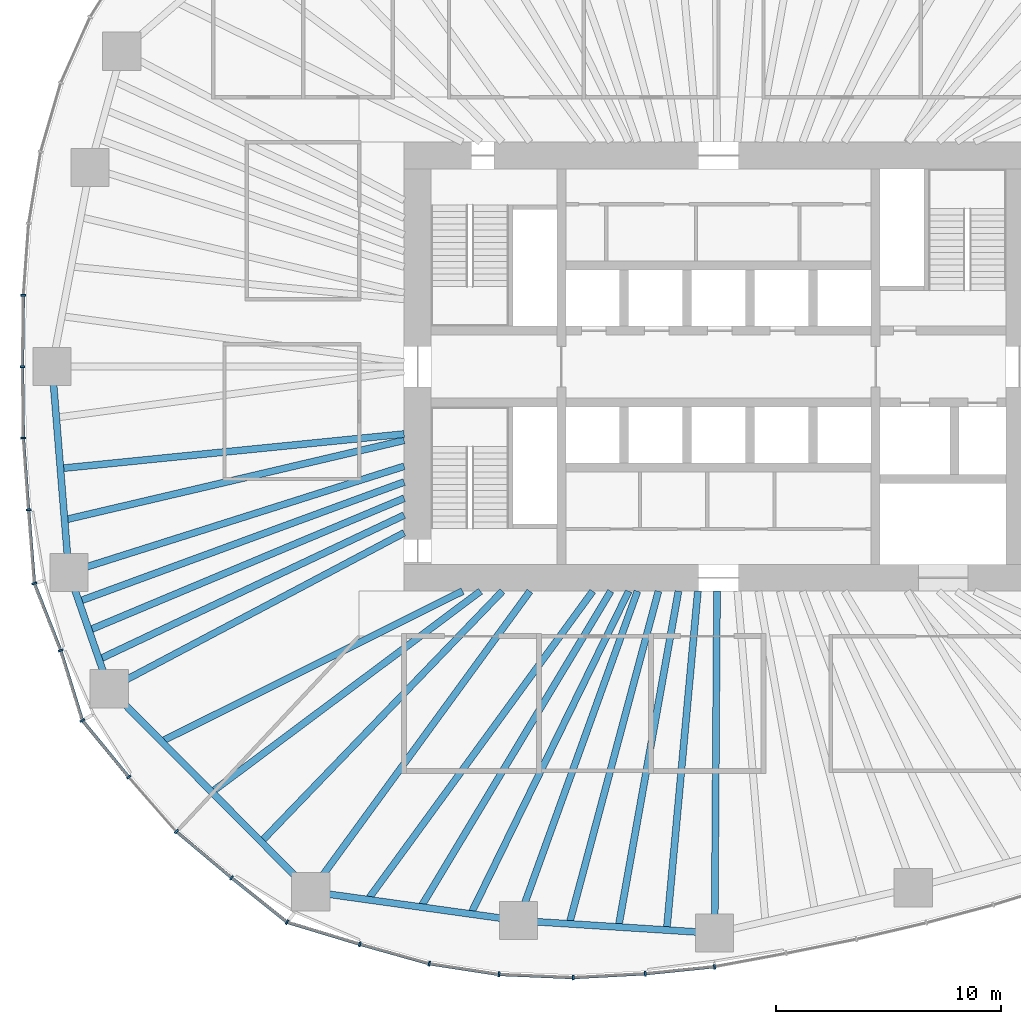
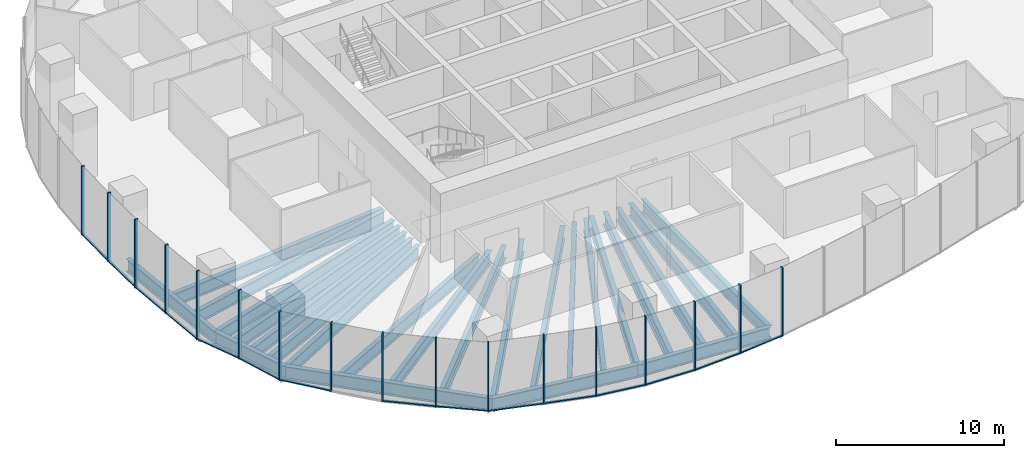
# One storey, part 2 of 19: 32 members, 24 beams, 7 elements without a shape of their own.
"""IFC4 building model written with IfcOpenShell, lengths in metres."""

import ifcopenshell
import ifcopenshell.guid

model = None  # the IFC model being written
_history = None  # IfcOwnerHistory: only IFC2X3 demands one
_inside = {}  # id of a spatial element -> (the spatial element, [elements in it])
_under = {}  # id of a project, library or spatial element -> (it, [spatial elements below it])
_declared = {}  # id of a project -> (the project, [libraries it declares])
_typed = {}  # id of a type object -> (the type object, [elements of that type])
_made_of = {}  # id of a material, layer set ... -> (it, [elements and type objects made of it])


def new_model(schema):
    """Start an empty IFC model of exactly this schema.

    Asked for "IFC4X3", IfcOpenShell would pick the latest addendum, in which some entities
    have other attributes; the version numbers below select the first issue.
    IFC2X3 requires an IfcOwnerHistory on every rooted entity: one is made here for all.
    """
    global model, _history
    if schema == "IFC4X3":
        model = ifcopenshell.file(schema_version=(4, 3, 0, 0))
    else:
        model = ifcopenshell.file(schema=schema)
    _inside.clear()
    _under.clear()
    _declared.clear()
    _typed.clear()
    _made_of.clear()
    _history = None
    if model.schema == "IFC2X3":
        org = make("IfcOrganization", Name="unknown")
        user = make(
            "IfcPersonAndOrganization",
            ThePerson=make("IfcPerson", FamilyName="unknown"),
            TheOrganization=org,
        )
        app = make(
            "IfcApplication",
            ApplicationDeveloper=org,
            Version="unknown",
            ApplicationFullName="unknown",
            ApplicationIdentifier="unknown",
        )
        _history = make(
            "IfcOwnerHistory",
            OwningUser=user,
            OwningApplication=app,
            ChangeAction="ADDED",
            CreationDate=0,
        )
    return model


def make(cls, **values):
    """One entity of the class cls with the attributes given. An attribute that is None is left unset."""
    return model.create_entity(
        cls, **{name: value for name, value in values.items() if value is not None}
    )


def rooted(cls, **values):
    """An entity with a GlobalId (a new one), such as an element, a storey or a relation."""
    return make(cls, GlobalId=ifcopenshell.guid.new(), OwnerHistory=_history, **values)


def si_unit(unit_type, name, prefix=None):
    """IfcSIUnit, for example si_unit("LENGTHUNIT", "METRE", prefix="MILLI")."""
    return make("IfcSIUnit", UnitType=unit_type, Prefix=prefix, Name=name)


def assignment(units):
    """IfcUnitAssignment: the units of a project."""
    return None if units is None else make("IfcUnitAssignment", Units=units)


def point(xyz):
    """IfcCartesianPoint."""
    return None if xyz is None else make("IfcCartesianPoint", Coordinates=xyz)


def direction(xyz):
    """IfcDirection."""
    return None if xyz is None else make("IfcDirection", DirectionRatios=xyz)


def frame(location, z_axis=None, x_axis=None):
    """IfcAxis2Placement3D, a coordinate frame: its origin and axes. An axis left out is left unset."""
    return make(
        "IfcAxis2Placement3D",
        Location=point(location),
        Axis=direction(z_axis),
        RefDirection=direction(x_axis),
    )


def frame_2d(location, x_axis=None):
    """IfcAxis2Placement2D, a coordinate frame in the plane: its origin and x axis."""
    return make(
        "IfcAxis2Placement2D", Location=point(location), RefDirection=direction(x_axis)
    )


def origin():
    """The frame at (0, 0, 0) with its axes left unset."""
    return frame((0.0, 0.0, 0.0))


def origin_2d():
    """The frame at (0, 0) in the plane with its x axis left unset."""
    return frame_2d((0.0, 0.0))


def place(relative_to, where):
    """IfcLocalPlacement: puts the frame where relative to a parent placement (None: the world)."""
    return make(
        "IfcLocalPlacement", PlacementRelTo=relative_to, RelativePlacement=where
    )


def context(
    kind, dimensions, precision=None, world=None, true_north=None, identifier=None
):
    """IfcGeometricRepresentationContext, for example the 3D "Model" context."""
    return make(
        "IfcGeometricRepresentationContext",
        ContextIdentifier=identifier,
        ContextType=kind,
        CoordinateSpaceDimension=dimensions,
        Precision=precision,
        WorldCoordinateSystem=world,
        TrueNorth=true_north,
    )


def subcontext(parent, identifier, kind, view, scale=None):
    """IfcGeometricRepresentationSubContext, for example "Body" below "Model"."""
    return make(
        "IfcGeometricRepresentationSubContext",
        ContextIdentifier=identifier,
        ContextType=kind,
        ParentContext=parent,
        TargetScale=scale,
        TargetView=view,
    )


def project(units=None, contexts=None):
    """IfcProject with its units and contexts."""
    return rooted(
        "IfcProject",
        Name="project",
        RepresentationContexts=contexts,
        UnitsInContext=assignment(units),
    )


def spatial(cls, under=None, at=None, **own):
    """A site, building, storey or space (cls), placed at a placement, below another one or the project."""
    s = rooted(cls, ObjectPlacement=at, **own)
    if under is not None:
        _under.setdefault(under.id(), (under, []))[1].append(s)
    return s


def profile(cls, at=None, kind="AREA", **sizes):
    """A parametric profile (cls). Its sizes go by their IFC names, for example OverallWidth=200.0."""
    return make(cls, ProfileType=kind, Position=at, **sizes)


def rectangle(**sizes):
    """IfcRectangleProfileDef."""
    return profile("IfcRectangleProfileDef", **sizes)


def i_section(**sizes):
    """IfcIShapeProfileDef."""
    return profile("IfcIShapeProfileDef", **sizes)


def extrude(swept, where, along, depth):
    """IfcExtrudedAreaSolid: the profile swept, set in the frame where, extruded along a direction by depth."""
    return make(
        "IfcExtrudedAreaSolid",
        SweptArea=swept,
        Position=where,
        ExtrudedDirection=direction(along),
        Depth=depth,
    )


def shape(context_of_items, identifier, shape_type, items):
    """IfcShapeRepresentation: the items that make up one representation, for example the "Body"."""
    return make(
        "IfcShapeRepresentation",
        ContextOfItems=context_of_items,
        RepresentationIdentifier=identifier,
        RepresentationType=shape_type,
        Items=items,
    )


def material(Name=None, Category=None):
    """IfcMaterial."""
    return make("IfcMaterial", Name=Name, Category=Category)


def material_profile(
    of_material, cross_section, Name=None, Category=None, Priority=None
):
    """IfcMaterialProfile: a cross section and its material."""
    return make(
        "IfcMaterialProfile",
        Name=Name,
        Material=of_material,
        Profile=cross_section,
        Priority=Priority,
        Category=Category,
    )


def profile_set(profiles, Name=None, composite=None):
    """IfcMaterialProfileSet."""
    return make(
        "IfcMaterialProfileSet",
        Name=Name,
        MaterialProfiles=profiles,
        CompositeProfile=composite,
    )


def made_of(thing, what):
    """Note that an element or type object is made of a material, layer set ...; save() writes the relation."""
    if what is not None:
        _made_of.setdefault(what.id(), (what, []))[1].append(thing)
    return thing


def type_object(cls, material=None, **own):
    """A type object (cls), such as IfcWallType, which elements share."""
    return made_of(rooted(cls, **own), material)


def element(
    cls,
    number,
    at=None,
    inside=None,
    cuts=None,
    type_object=None,
    material=None,
    context=None,
    identifier="Body",
    shape_type=None,
    held_by="IfcProductDefinitionShape",
    body=None,
    shapes=None,
    **own,
):
    """One element of the class cls, such as IfcWall. Its Tag is "e" and its number.

    at: its placement. inside: the storey or other place that contains it. cuts: it is an
    opening in that element (IfcRelVoidsElement). A single representation is given by context,
    identifier, shape_type and body (its items); several are given by shapes. held_by: the class
    of the entity that holds the representations. save() writes the other relations.
    """
    e = rooted(cls, Tag="e%d" % number, ObjectPlacement=at, **own)
    if body is not None:
        shapes = [shape(context, identifier, shape_type, body)]
    if shapes is not None:
        e.Representation = make(held_by, Representations=shapes)
    if inside is not None:
        _inside.setdefault(inside.id(), (inside, []))[1].append(e)
    if cuts is not None:
        rooted(
            "IfcRelVoidsElement", RelatingBuildingElement=cuts, RelatedOpeningElement=e
        )
    if type_object is not None:
        _typed.setdefault(type_object.id(), (type_object, []))[1].append(e)
    return made_of(e, material)


def aggregate(whole, parts):
    """IfcRelAggregates: a whole, such as a stair, and the parts it consists of."""
    return rooted("IfcRelAggregates", RelatingObject=whole, RelatedObjects=parts)


def save(model, path):
    """Write the relations noted so far, then the file.

    IfcRelAggregates (storeys below a building ...), IfcRelContainedInSpatialStructure (elements
    in a storey), IfcRelDefinesByType, IfcRelAssociatesMaterial and IfcRelDeclares: one each for
    every whole, place, type object, material and project.
    """
    for whole, parts in _under.values():
        aggregate(whole, parts)
    for where, things in _inside.values():
        rooted(
            "IfcRelContainedInSpatialStructure",
            RelatedElements=things,
            RelatingStructure=where,
        )
    for kind, things in _typed.values():
        rooted("IfcRelDefinesByType", RelatedObjects=things, RelatingType=kind)
    for what, things in _made_of.values():
        rooted("IfcRelAssociatesMaterial", RelatedObjects=things, RelatingMaterial=what)
    for by, libraries in _declared.values():
        rooted("IfcRelDeclares", RelatingContext=by, RelatedDefinitions=libraries)
    model.write(path)


model = new_model("IFC4")

# Units and contexts
model_context = context("Model", 3, precision=1e-05, world=origin(), true_north=direction((0.0, 1.0)))
body_context = subcontext(model_context, "Body", "Model", "MODEL_VIEW")
ifc_project = project(units=[si_unit("LENGTHUNIT", "METRE"), si_unit("AREAUNIT", "SQUARE_METRE"), si_unit("VOLUMEUNIT", "CUBIC_METRE"), si_unit("PLANEANGLEUNIT", "RADIAN"), si_unit("MASSUNIT", "GRAM", prefix="KILO")], contexts=[model_context])

# Site, building, storey
site_placement = place(None, origin())
site = spatial("IfcSite", under=ifc_project, at=site_placement, CompositionType="ELEMENT")
building_placement = place(site_placement, origin())
building = spatial("IfcBuilding", under=site, at=building_placement, Name="Ghaith Harvest Tower", CompositionType="ELEMENT")
storey_placement = place(building_placement, frame((0.0, 0.0, 70.0)))
storey = spatial("IfcBuildingStorey", under=building, at=storey_placement, Name="L14", CompositionType="ELEMENT", Elevation=70.0)

# Curtain wall, member
ifc_material_1 = material(Name="Black anodised aluminium and fritted glass", Category="aluminium")
curtain_wall_type = type_object("IfcCurtainWallType", Name="CW-F CURTAIN WALL", PredefinedType="NOTDEFINED", material=ifc_material_1)
curtain_wall_1_placement = place(storey_placement, origin())
curtain_wall_1 = element("IfcCurtainWall", 1, at=curtain_wall_1_placement, inside=storey, type_object=curtain_wall_type, Name="Curtain wall CW-F bay 10 L14", PredefinedType="NOTDEFINED")
ifc_material_2 = material(Name="Aluminium, black anodised", Category="aluminium")
ifc_material_profile_1 = material_profile(ifc_material_2, rectangle(XDim=0.080078125, YDim=0.219970703125, at=origin_2d()), Name="CW-F MULLION 80x220")
ifc_profile_set_1 = profile_set([ifc_material_profile_1], Name="Aluminium, black anodised")
member_type_1 = type_object("IfcMemberType", Name="CW-F MULLION 80x220", PredefinedType="MULLION", material=ifc_profile_set_1)
member_1_placement = place(storey_placement, frame((-30.95654296875, 3.177978515625, 0.0), z_axis=(0.0, 0.0, 1.0), x_axis=(-0.042427007767, -0.999099569118, 0.0)))
member_1 = element("IfcMember", 2, at=member_1_placement, type_object=member_type_1, Name="CW-F mullion 3 bay 10 L14", PredefinedType="MULLION", context=body_context, shape_type="SweptSolid", body=[
    extrude(rectangle(XDim=0.080078125, YDim=0.219970703125, at=origin_2d()), origin(), (0.0, 0.0, 1.0), 5.0),
])

# Curtain wall, members
curtain_wall_2_placement = place(storey_placement, origin())
curtain_wall_2 = element("IfcCurtainWall", 3, at=curtain_wall_2_placement, inside=storey, type_object=curtain_wall_type, Name="Curtain wall CW-F bay 11 L14", PredefinedType="NOTDEFINED")
member_2_placement = place(storey_placement, frame((-30.9951171875, 0.0, 0.0), z_axis=(0.0, 0.0, 1.0), x_axis=(1.4e-10, -1.0, 0.0)))
member_2 = element("IfcMember", 4, at=member_2_placement, type_object=member_type_1, Name="CW-F mullion 1 bay 11 L14", PredefinedType="MULLION", context=body_context, shape_type="SweptSolid", body=[
    extrude(rectangle(XDim=0.080078125, YDim=0.219970703125, at=origin_2d()), origin(), (0.0, 0.0, 1.0), 5.0),
])
member_3_placement = place(storey_placement, frame((-30.95654296875, -3.177978515625, 0.0), z_axis=(0.0, 0.0, 1.0), x_axis=(0.042427007872, -0.999099569114, 0.0)))
member_3 = element("IfcMember", 5, at=member_3_placement, type_object=member_type_1, Name="CW-F mullion 2 bay 11 L14", PredefinedType="MULLION", context=body_context, shape_type="SweptSolid", body=[
    extrude(rectangle(XDim=0.080078125, YDim=0.219970703125, at=origin_2d()), origin(), (0.0, 0.0, 1.0), 5.0),
])
member_4_placement = place(storey_placement, frame((-30.724365234375, -6.37548828125, 0.0), z_axis=(0.0, 0.0, 1.0), x_axis=(0.07568573288, -0.997131721408, 0.0)))
member_4 = element("IfcMember", 6, at=member_4_placement, type_object=member_type_1, Name="CW-F mullion 3 bay 11 L14", PredefinedType="MULLION", context=body_context, shape_type="SweptSolid", body=[
    extrude(rectangle(XDim=0.080078125, YDim=0.219970703125, at=origin_2d()), origin(), (0.0, 0.0, 1.0), 5.0),
])

curtain_wall_3_placement = place(storey_placement, origin())
curtain_wall_3 = element("IfcCurtainWall", 7, at=curtain_wall_3_placement, inside=storey, type_object=curtain_wall_type, Name="Curtain wall CW-F bay 12 L14", PredefinedType="NOTDEFINED")
member_5_placement = place(storey_placement, frame((-30.46484375, -9.65478515625, 0.0), z_axis=(0.0, 0.0, 1.0), x_axis=(0.222967363441, -0.974825910017, 0.0)))
member_5 = element("IfcMember", 8, at=member_5_placement, type_object=member_type_1, Name="CW-F mullion 1 bay 12 L14", PredefinedType="MULLION", context=body_context, shape_type="SweptSolid", body=[
    extrude(rectangle(XDim=0.080078125, YDim=0.219970703125, at=origin_2d()), origin(), (0.0, 0.0, 1.0), 5.0),
])
member_6_placement = place(storey_placement, frame((-29.29248046875, -12.63525390625, 0.0), z_axis=(0.0, 0.0, 1.0), x_axis=(0.330700518925, -0.943735750506, 0.0)))
member_6 = element("IfcMember", 9, at=member_6_placement, type_object=member_type_1, Name="CW-F mullion 2 bay 12 L14", PredefinedType="MULLION", context=body_context, shape_type="SweptSolid", body=[
    extrude(rectangle(XDim=0.080078125, YDim=0.219970703125, at=origin_2d()), origin(), (0.0, 0.0, 1.0), 5.0),
])
member_7_placement = place(storey_placement, frame((-28.3271484375, -15.7548828125, 0.0), z_axis=(0.0, 0.0, 1.0), x_axis=(0.473265082527, -0.880920065421, 0.0)))
member_7 = element("IfcMember", 10, at=member_7_placement, type_object=member_type_1, Name="CW-F mullion 3 bay 12 L14", PredefinedType="MULLION", context=body_context, shape_type="SweptSolid", body=[
    extrude(rectangle(XDim=0.080078125, YDim=0.219970703125, at=origin_2d()), origin(), (0.0, 0.0, 1.0), 5.0),
])

curtain_wall_4_placement = place(storey_placement, origin())
curtain_wall_4 = element("IfcCurtainWall", 11, at=curtain_wall_4_placement, inside=storey, type_object=curtain_wall_type, Name="Curtain wall CW-F bay 13 L14", PredefinedType="NOTDEFINED")
member_8_placement = place(storey_placement, frame((-26.26318359375, -18.274169921875, 0.0), z_axis=(0.0, 0.0, 1.0), x_axis=(0.646523538748, -0.762894038412, 0.0)))
member_8 = element("IfcMember", 12, at=member_8_placement, type_object=member_type_1, Name="CW-F mullion 1 bay 13 L14", PredefinedType="MULLION", context=body_context, shape_type="SweptSolid", body=[
    extrude(rectangle(XDim=0.080078125, YDim=0.219970703125, at=origin_2d()), origin(), (0.0, 0.0, 1.0), 5.0),
])
member_9_placement = place(storey_placement, frame((-24.139404296875, -20.696533203125, 0.0), z_axis=(0.0, 0.0, 1.0), x_axis=(0.714663248554, -0.699468684907, 0.0)))
member_9 = element("IfcMember", 13, at=member_9_placement, type_object=member_type_1, Name="CW-F mullion 2 bay 13 L14", PredefinedType="MULLION", context=body_context, shape_type="SweptSolid", body=[
    extrude(rectangle(XDim=0.080078125, YDim=0.219970703125, at=origin_2d()), origin(), (0.0, 0.0, 1.0), 5.0),
])
member_10_placement = place(storey_placement, frame((-21.681640625, -22.758056640625, 0.0), z_axis=(0.0, 0.0, 1.0), x_axis=(0.773138721505, -0.634236956751, 0.0)))
member_10 = element("IfcMember", 14, at=member_10_placement, type_object=member_type_1, Name="CW-F mullion 3 bay 13 L14", PredefinedType="MULLION", context=body_context, shape_type="SweptSolid", body=[
    extrude(rectangle(XDim=0.080078125, YDim=0.219970703125, at=origin_2d()), origin(), (0.0, 0.0, 1.0), 5.0),
])

curtain_wall_5_placement = place(storey_placement, origin())
curtain_wall_5 = element("IfcCurtainWall", 15, at=curtain_wall_5_placement, inside=storey, type_object=curtain_wall_type, Name="Curtain wall CW-F bay 14 L14", PredefinedType="NOTDEFINED")
member_11_placement = place(storey_placement, frame((-19.212646484375, -24.73828125, 0.0), z_axis=(0.0, 0.0, 1.0), x_axis=(0.887912253774, -0.460012858079, 0.0)))
member_11 = element("IfcMember", 16, at=member_11_placement, type_object=member_type_1, Name="CW-F mullion 1 bay 14 L14", PredefinedType="MULLION", context=body_context, shape_type="SweptSolid", body=[
    extrude(rectangle(XDim=0.080078125, YDim=0.219970703125, at=origin_2d()), origin(), (0.0, 0.0, 1.0), 5.0),
])
member_12_placement = place(storey_placement, frame((-15.97119140625, -25.716552734375, 0.0), z_axis=(0.0, 0.0, 1.0), x_axis=(0.960008876539, -0.279969564356, 0.0)))
member_12 = element("IfcMember", 17, at=member_12_placement, type_object=member_type_1, Name="CW-F mullion 2 bay 14 L14", PredefinedType="MULLION", context=body_context, shape_type="SweptSolid", body=[
    extrude(rectangle(XDim=0.080078125, YDim=0.219970703125, at=origin_2d()), origin(), (0.0, 0.0, 1.0), 5.0),
])
member_13_placement = place(storey_placement, frame((-12.880615234375, -26.5849609375, 0.0), z_axis=(0.0, 0.0, 1.0), x_axis=(0.977207016024, -0.212288595628, 0.0)))
member_13 = element("IfcMember", 18, at=member_13_placement, type_object=member_type_1, Name="CW-F mullion 3 bay 14 L14", PredefinedType="MULLION", context=body_context, shape_type="SweptSolid", body=[
    extrude(rectangle(XDim=0.080078125, YDim=0.219970703125, at=origin_2d()), origin(), (0.0, 0.0, 1.0), 5.0),
])

curtain_wall_6_placement = place(storey_placement, origin())
curtain_wall_6 = element("IfcCurtainWall", 19, at=curtain_wall_6_placement, inside=storey, type_object=curtain_wall_type, Name="Curtain wall CW-F bay 15 L14", PredefinedType="NOTDEFINED")
member_14_placement = place(storey_placement, frame((-9.7744140625, -27.062744140625, 0.0), z_axis=(0.0, 0.0, 1.0), x_axis=(0.995408459417, -0.095718331168, 0.0)))
member_14 = element("IfcMember", 20, at=member_14_placement, type_object=member_type_1, Name="CW-F mullion 1 bay 15 L14", PredefinedType="MULLION", context=body_context, shape_type="SweptSolid", body=[
    extrude(rectangle(XDim=0.080078125, YDim=0.219970703125, at=origin_2d()), origin(), (0.0, 0.0, 1.0), 5.0),
])
member_15_placement = place(storey_placement, frame((-6.465087890625, -27.20166015625, 0.0), z_axis=(0.0, 0.0, 1.0), x_axis=(0.999987206373, 0.005058368251, 0.0)))
member_15 = element("IfcMember", 21, at=member_15_placement, type_object=member_type_1, Name="CW-F mullion 2 bay 15 L14", PredefinedType="MULLION", context=body_context, shape_type="SweptSolid", body=[
    extrude(rectangle(XDim=0.080078125, YDim=0.219970703125, at=origin_2d()), origin(), (0.0, 0.0, 1.0), 5.0),
])
member_16_placement = place(storey_placement, frame((-3.261962890625, -27.02978515625, 0.0), z_axis=(0.0, 0.0, 1.0), x_axis=(0.997037536276, 0.07691652135, 0.0)))
member_16 = element("IfcMember", 22, at=member_16_placement, type_object=member_type_1, Name="CW-F mullion 3 bay 15 L14", PredefinedType="MULLION", context=body_context, shape_type="SweptSolid", body=[
    extrude(rectangle(XDim=0.080078125, YDim=0.219970703125, at=origin_2d()), origin(), (0.0, 0.0, 1.0), 5.0),
])

# Curtain wall, member
curtain_wall_7_placement = place(storey_placement, origin())
curtain_wall_7 = element("IfcCurtainWall", 23, at=curtain_wall_7_placement, inside=storey, type_object=curtain_wall_type, Name="Curtain wall CW-F bay 16 L14", PredefinedType="NOTDEFINED")
member_17_placement = place(storey_placement, frame((-0.182861328125, -26.717041015625, 0.0), z_axis=(0.0, 0.0, 1.0), x_axis=(0.98971187144, 0.143074845907, 0.0)))
member_17 = element("IfcMember", 24, at=member_17_placement, type_object=member_type_1, Name="CW-F mullion 1 bay 16 L14", PredefinedType="MULLION", context=body_context, shape_type="SweptSolid", body=[
    extrude(rectangle(XDim=0.080078125, YDim=0.219970703125, at=origin_2d()), origin(), (0.0, 0.0, 1.0), 5.0),
])
aggregate(curtain_wall_7, [member_17])

# Member
ifc_material_3 = material(Name="Aluminium, black anodised", Category="aluminium")
ifc_material_profile_2 = material_profile(ifc_material_3, rectangle(XDim=0.139892578125, YDim=0.080078125, at=origin_2d()), Name="CW-F TRANSOM 140x80")
ifc_profile_set_2 = profile_set([ifc_material_profile_2], Name="Aluminium, black anodised")
member_type_2 = type_object("IfcMemberType", Name="CW-F TRANSOM 140x80", PredefinedType="USERDEFINED", material=ifc_profile_set_2)
member_18_placement = place(storey_placement, frame((-30.95703125, 3.137939453125, 0.0400390625), z_axis=(-0.012135602457, -0.999926360865, 0.0), x_axis=(0.999926360865, -0.012135602457, 0.0)))
member_18 = element("IfcMember", 25, at=member_18_placement, type_object=member_type_2, Name="CW-F transom 3 bay 10 L14", ObjectType="TRANSOM", PredefinedType="USERDEFINED", context=body_context, shape_type="SweptSolid", body=[
    extrude(rectangle(XDim=0.139892578125, YDim=0.080078125, at=origin_2d()), origin(), (0.0, 0.0, 1.0), 3.09814453125),
])

aggregate(curtain_wall_1, [member_1, member_18])

member_19_placement = place(storey_placement, frame((-30.99462890625, -0.0400390625, 0.0400390625), z_axis=(0.012135602457, -0.999926360865, 0.0), x_axis=(0.999926360865, 0.012135602457, 0.0)))
member_19 = element("IfcMember", 26, at=member_19_placement, type_object=member_type_2, Name="CW-F transom 1 bay 11 L14", ObjectType="TRANSOM", PredefinedType="USERDEFINED", context=body_context, shape_type="SweptSolid", body=[
    extrude(rectangle(XDim=0.139892578125, YDim=0.080078125, at=origin_2d()), origin(), (0.0, 0.0, 1.0), 3.09814453125),
])

member_20_placement = place(storey_placement, frame((-30.95361328125, -3.2177734375, 0.0400390625), z_axis=(0.072473547161, -0.997370334912, 0.0), x_axis=(0.997370334912, 0.072473547161, 0.0)))
member_20 = element("IfcMember", 27, at=member_20_placement, type_object=member_type_2, Name="CW-F transom 2 bay 11 L14", ObjectType="TRANSOM", PredefinedType="USERDEFINED", context=body_context, shape_type="SweptSolid", body=[
    extrude(rectangle(XDim=0.139892578125, YDim=0.080078125, at=origin_2d()), origin(), (0.0, 0.0, 1.0), 3.126220703125),
])

member_21_placement = place(storey_placement, frame((-30.72119140625, -6.415283203125, 0.0400390625), z_axis=(0.078877539502, -0.996884313129, 0.0), x_axis=(0.996884313129, 0.078877539502, 0.0)))
member_21 = element("IfcMember", 28, at=member_21_placement, type_object=member_type_2, Name="CW-F transom 3 bay 11 L14", ObjectType="TRANSOM", PredefinedType="USERDEFINED", context=body_context, shape_type="SweptSolid", body=[
    extrude(rectangle(XDim=0.139892578125, YDim=0.080078125, at=origin_2d()), origin(), (0.0, 0.0, 1.0), 3.209716796875),
])

aggregate(curtain_wall_2, [member_2, member_19, member_3, member_20, member_4, member_21])

member_22_placement = place(storey_placement, frame((-30.4501953125, -9.692138671875, 0.0400390625), z_axis=(0.366046617161, -0.93059651518, 0.0), x_axis=(0.93059651518, 0.366046617161, 0.0)))
member_22 = element("IfcMember", 29, at=member_22_placement, type_object=member_type_2, Name="CW-F transom 1 bay 12 L14", ObjectType="TRANSOM", PredefinedType="USERDEFINED", context=body_context, shape_type="SweptSolid", body=[
    extrude(rectangle(XDim=0.139892578125, YDim=0.080078125, at=origin_2d()), origin(), (0.0, 0.0, 1.0), 3.122802734375),
])

member_23_placement = place(storey_placement, frame((-29.28076171875, -12.673583984375, 0.0400390625), z_axis=(0.295598800908, -0.955312173534, 0.0), x_axis=(0.955312173534, 0.295598800908, 0.0)))
member_23 = element("IfcMember", 30, at=member_23_placement, type_object=member_type_2, Name="CW-F transom 2 bay 12 L14", ObjectType="TRANSOM", PredefinedType="USERDEFINED", context=body_context, shape_type="SweptSolid", body=[
    extrude(rectangle(XDim=0.139892578125, YDim=0.080078125, at=origin_2d()), origin(), (0.0, 0.0, 1.0), 3.185546875),
])

member_24_placement = place(storey_placement, frame((-28.302001953125, -15.785888671875, 0.0400390625), z_axis=(0.633790042943, -0.773505126982, 0.0), x_axis=(0.773505126982, 0.633790042943, 0.0)))
member_24 = element("IfcMember", 31, at=member_24_placement, type_object=member_type_2, Name="CW-F transom 3 bay 12 L14", ObjectType="TRANSOM", PredefinedType="USERDEFINED", context=body_context, shape_type="SweptSolid", body=[
    extrude(rectangle(XDim=0.139892578125, YDim=0.080078125, at=origin_2d()), origin(), (0.0, 0.0, 1.0), 3.1767578125),
])

aggregate(curtain_wall_3, [member_5, member_22, member_6, member_23, member_7, member_24])

member_25_placement = place(storey_placement, frame((-24.10888671875, -20.72216796875, 0.0400390625), z_axis=(0.766144434184, -0.642668426149, 0.0), x_axis=(0.642668426149, 0.766144434184, 0.0)))
member_25 = element("IfcMember", 32, at=member_25_placement, type_object=member_type_2, Name="CW-F transom 2 bay 13 L14", ObjectType="TRANSOM", PredefinedType="USERDEFINED", context=body_context, shape_type="SweptSolid", body=[
    extrude(rectangle(XDim=0.139892578125, YDim=0.080078125, at=origin_2d()), origin(), (0.0, 0.0, 1.0), 3.1279296875),
])

member_26_placement = place(storey_placement, frame((-21.650634765625, -22.783203125, 0.0400390625), z_axis=(0.780181223133, -0.625553562112, 0.0), x_axis=(0.625553562112, 0.780181223133, 0.0)))
member_26 = element("IfcMember", 33, at=member_26_placement, type_object=member_type_2, Name="CW-F transom 3 bay 13 L14", ObjectType="TRANSOM", PredefinedType="USERDEFINED", context=body_context, shape_type="SweptSolid", body=[
    extrude(rectangle(XDim=0.139892578125, YDim=0.080078125, at=origin_2d()), origin(), (0.0, 0.0, 1.0), 3.085205078125),
])

aggregate(curtain_wall_4, [member_8, member_9, member_25, member_10, member_26])

member_27_placement = place(storey_placement, frame((-19.17431640625, -24.749755859375, 0.0400390625), z_axis=(0.957335035376, -0.288980328121, 0.0), x_axis=(0.288980328121, 0.957335035376, 0.0)))
member_27 = element("IfcMember", 34, at=member_27_placement, type_object=member_type_2, Name="CW-F transom 1 bay 14 L14", ObjectType="TRANSOM", PredefinedType="USERDEFINED", context=body_context, shape_type="SweptSolid", body=[
    extrude(rectangle(XDim=0.139892578125, YDim=0.080078125, at=origin_2d()), origin(), (0.0, 0.0, 1.0), 3.305908203125),
])

member_28_placement = place(storey_placement, frame((-15.9326171875, -25.727294921875, 0.0400390625), z_axis=(0.962727128991, -0.270474536888, 0.0), x_axis=(0.270474536888, 0.962727128991, 0.0)))
member_28 = element("IfcMember", 35, at=member_28_placement, type_object=member_type_2, Name="CW-F transom 2 bay 14 L14", ObjectType="TRANSOM", PredefinedType="USERDEFINED", context=body_context, shape_type="SweptSolid", body=[
    extrude(rectangle(XDim=0.139892578125, YDim=0.080078125, at=origin_2d()), origin(), (0.0, 0.0, 1.0), 3.13037109375),
])

member_29_placement = place(storey_placement, frame((-12.841064453125, -26.591064453125, 0.0400390625), z_axis=(0.988378147633, -0.152015253451, 0.0), x_axis=(0.152015253451, 0.988378147633, 0.0)))
member_29 = element("IfcMember", 36, at=member_29_placement, type_object=member_type_2, Name="CW-F transom 3 bay 14 L14", ObjectType="TRANSOM", PredefinedType="USERDEFINED", context=body_context, shape_type="SweptSolid", body=[
    extrude(rectangle(XDim=0.139892578125, YDim=0.080078125, at=origin_2d()), origin(), (0.0, 0.0, 1.0), 3.062744140625),
])

aggregate(curtain_wall_5, [member_11, member_27, member_12, member_28, member_13, member_29])

member_30_placement = place(storey_placement, frame((-9.734375, -27.064453125, 0.0400390625), z_axis=(0.999117688764, -0.04199814281, 0.0), x_axis=(0.04199814281, 0.999117688764, 0.0)))
member_30 = element("IfcMember", 37, at=member_30_placement, type_object=member_type_2, Name="CW-F transom 1 bay 15 L14", ObjectType="TRANSOM", PredefinedType="USERDEFINED", context=body_context, shape_type="SweptSolid", body=[
    extrude(rectangle(XDim=0.139892578125, YDim=0.080078125, at=origin_2d()), origin(), (0.0, 0.0, 1.0), 3.232177734375),
])

member_31_placement = place(storey_placement, frame((-6.42529296875, -27.19970703125, 0.0400390625), z_axis=(0.99856142387, 0.053619798202, 0.0), x_axis=(-0.053619798202, 0.99856142387, 0.0)))
member_31 = element("IfcMember", 38, at=member_31_placement, type_object=member_type_2, Name="CW-F transom 2 bay 15 L14", ObjectType="TRANSOM", PredefinedType="USERDEFINED", context=body_context, shape_type="SweptSolid", body=[
    extrude(rectangle(XDim=0.139892578125, YDim=0.080078125, at=origin_2d()), origin(), (0.0, 0.0, 1.0), 3.1279296875),
])

member_32_placement = place(storey_placement, frame((-3.22216796875, -27.02587890625, 0.0400390625), z_axis=(0.994880435036, 0.101058992587, 0.0), x_axis=(-0.101058992587, 0.994880435036, 0.0)))
member_32 = element("IfcMember", 39, at=member_32_placement, type_object=member_type_2, Name="CW-F transom 3 bay 15 L14", ObjectType="TRANSOM", PredefinedType="USERDEFINED", context=body_context, shape_type="SweptSolid", body=[
    extrude(rectangle(XDim=0.139892578125, YDim=0.080078125, at=origin_2d()), origin(), (0.0, 0.0, 1.0), 3.014892578125),
])

aggregate(curtain_wall_6, [member_14, member_30, member_15, member_31, member_16, member_32])

# Beams
ifc_material_4 = material(Name="Steel ASTM A992 Grade 50", Category="steel")
ifc_material_profile_3 = material_profile(ifc_material_4, i_section(OverallWidth=0.306884765625, OverallDepth=0.94189453125, WebThickness=0.022216796875, FlangeThickness=0.039794921875, at=origin_2d()), Name="W920X345")
ifc_profile_set_3 = profile_set([ifc_material_profile_3], Name="Steel ASTM A992 Grade 50")
beam_type_1 = type_object("IfcBeamType", Name="E920-345 W920X345", PredefinedType="SPANDREL", material=ifc_profile_set_3)
beam_1_placement = place(storey_placement, frame((-29.675048828125, 0.0, -0.6708984375), z_axis=(0.081006863421, -0.996713543642, 0.0), x_axis=(0.996713543642, 0.081006863421, 0.0)))
element("IfcBeam", 40, at=beam_1_placement, inside=storey, type_object=beam_type_1, Name="Edge beam E11 L14", PredefinedType="SPANDREL", context=body_context, shape_type="SweptSolid", body=[
    extrude(i_section(OverallWidth=0.306884765625, OverallDepth=0.94189453125, WebThickness=0.022216796875, FlangeThickness=0.039794921875, at=origin_2d()), origin(), (0.0, 0.0, 1.0), 9.1982421875),
])
beam_2_placement = place(storey_placement, frame((-28.929931640625, -9.16796875, -0.6708984375), z_axis=(0.328278550319, -0.944580961803, 0.0), x_axis=(0.944580961803, 0.328278550319, 0.0)))
element("IfcBeam", 41, at=beam_2_placement, inside=storey, type_object=beam_type_1, Name="Edge beam E12 L14", PredefinedType="SPANDREL", context=body_context, shape_type="SweptSolid", body=[
    extrude(i_section(OverallWidth=0.306884765625, OverallDepth=0.94189453125, WebThickness=0.022216796875, FlangeThickness=0.039794921875, at=origin_2d()), origin(), (0.0, 0.0, 1.0), 5.4765625),
])
beam_3_placement = place(storey_placement, frame((-27.132080078125, -14.341064453125, -0.6708984375), z_axis=(0.704562513714, -0.709641926798, 0.0), x_axis=(0.709641926798, 0.704562513714, 0.0)))
element("IfcBeam", 42, at=beam_3_placement, inside=storey, type_object=beam_type_1, Name="Edge beam E13 L14", PredefinedType="SPANDREL", context=body_context, shape_type="SweptSolid", body=[
    extrude(i_section(OverallWidth=0.306884765625, OverallDepth=0.94189453125, WebThickness=0.022216796875, FlangeThickness=0.039794921875, at=origin_2d()), origin(), (0.0, 0.0, 1.0), 12.737060546875),
])
beam_4_placement = place(storey_placement, frame((-18.157958984375, -23.3798828125, -0.6708984375), z_axis=(0.990441143901, -0.137936001352, 0.0), x_axis=(0.137936001352, 0.990441143901, 0.0)))
element("IfcBeam", 43, at=beam_4_placement, inside=storey, type_object=beam_type_1, Name="Edge beam E14 L14", PredefinedType="SPANDREL", context=body_context, shape_type="SweptSolid", body=[
    extrude(i_section(OverallWidth=0.306884765625, OverallDepth=0.94189453125, WebThickness=0.022216796875, FlangeThickness=0.039794921875, at=origin_2d()), origin(), (0.0, 0.0, 1.0), 9.33837890625),
])
beam_5_placement = place(storey_placement, frame((-8.908935546875, -24.66796875, -0.6708984375), z_axis=(0.99797963184, -0.063534671101, 0.0), x_axis=(0.063534671101, 0.99797963184, 0.0)))
element("IfcBeam", 44, at=beam_5_placement, inside=storey, type_object=beam_type_1, Name="Edge beam E15 L14", PredefinedType="SPANDREL", context=body_context, shape_type="SweptSolid", body=[
    extrude(i_section(OverallWidth=0.306884765625, OverallDepth=0.94189453125, WebThickness=0.022216796875, FlangeThickness=0.039794921875, at=origin_2d()), origin(), (0.0, 0.0, 1.0), 8.75341796875),
])
ifc_material_5 = material(Name="Steel ASTM A992 Grade 50", Category="steel")
ifc_material_profile_4 = material_profile(ifc_material_5, i_section(OverallWidth=0.306884765625, OverallDepth=0.94189453125, WebThickness=0.022216796875, FlangeThickness=0.039794921875, at=origin_2d()), Name="W920X345")
ifc_profile_set_4 = profile_set([ifc_material_profile_4], Name="Steel ASTM A992 Grade 50")
beam_type_2 = type_object("IfcBeamType", Name="G920-345 W920X345", PredefinedType="BEAM", material=ifc_profile_set_4)
beam_6_placement = place(storey_placement, frame((-14.0, -4.43701171875, -0.6708984375), z_axis=(-0.953284407194, -0.302074227636, 0.0), x_axis=(0.302074227636, -0.953284407194, 0.0)))
element("IfcBeam", 45, at=beam_6_placement, inside=storey, type_object=beam_type_2, Name="Radial girder G12 L14", PredefinedType="BEAM", context=body_context, shape_type="SweptSolid", body=[
    extrude(i_section(OverallWidth=0.306884765625, OverallDepth=0.94189453125, WebThickness=0.022216796875, FlangeThickness=0.039794921875, at=origin_2d()), origin(), (0.0, 0.0, 1.0), 15.66162109375),
])
beam_7_placement = place(storey_placement, frame((-14.0, -7.39990234375, -0.6708984375), z_axis=(-0.884097171481, -0.467303104397, 0.0), x_axis=(0.467303104397, -0.884097171481, 0.0)))
element("IfcBeam", 46, at=beam_7_placement, inside=storey, type_object=beam_type_2, Name="Radial girder G13 L14", PredefinedType="BEAM", context=body_context, shape_type="SweptSolid", body=[
    extrude(i_section(OverallWidth=0.306884765625, OverallDepth=0.94189453125, WebThickness=0.022216796875, FlangeThickness=0.039794921875, at=origin_2d()), origin(), (0.0, 0.0, 1.0), 14.853759765625),
])
beam_8_placement = place(storey_placement, frame((-8.39990234375, -10.0, -0.6708984375), z_axis=(-0.589246749374, -0.807953134997, 0.0), x_axis=(0.807953134997, -0.589246749374, 0.0)))
element("IfcBeam", 47, at=beam_8_placement, inside=storey, type_object=beam_type_2, Name="Radial girder G14 L14", PredefinedType="BEAM", context=body_context, shape_type="SweptSolid", body=[
    extrude(i_section(OverallWidth=0.306884765625, OverallDepth=0.94189453125, WebThickness=0.022216796875, FlangeThickness=0.039794921875, at=origin_2d()), origin(), (0.0, 0.0, 1.0), 16.560302734375),
])
beam_9_placement = place(storey_placement, frame((-3.61181640625, -10.0, -0.6708984375), z_axis=(-0.339664467784, -0.940546675782, 0.0), x_axis=(0.940546675782, -0.339664467784, 0.0)))
element("IfcBeam", 48, at=beam_9_placement, inside=storey, type_object=beam_type_2, Name="Radial girder G15 L14", PredefinedType="BEAM", context=body_context, shape_type="SweptSolid", body=[
    extrude(i_section(OverallWidth=0.306884765625, OverallDepth=0.94189453125, WebThickness=0.022216796875, FlangeThickness=0.039794921875, at=origin_2d()), origin(), (0.0, 0.0, 1.0), 15.59521484375),
])
beam_10_placement = place(storey_placement, frame((-0.068359375, -10.0, -0.6708984375), z_axis=(-0.006879467722, -0.999976336182, 0.0), x_axis=(0.999976336182, -0.006879467722, 0.0)))
element("IfcBeam", 49, at=beam_10_placement, inside=storey, type_object=beam_type_2, Name="Radial girder G16 L14", PredefinedType="BEAM", context=body_context, shape_type="SweptSolid", body=[
    extrude(i_section(OverallWidth=0.306884765625, OverallDepth=0.94189453125, WebThickness=0.022216796875, FlangeThickness=0.039794921875, at=origin_2d()), origin(), (0.0, 0.0, 1.0), 15.224365234375),
])
ifc_material_6 = material(Name="Steel ASTM A992 Grade 50", Category="steel")
ifc_material_profile_5 = material_profile(ifc_material_6, i_section(OverallWidth=0.31005859375, OverallDepth=0.927001953125, WebThickness=0.019287109375, FlangeThickness=0.031982421875, at=origin_2d()), Name="W920X289")
ifc_profile_set_5 = profile_set([ifc_material_profile_5], Name="Steel ASTM A992 Grade 50")
beam_type_3 = type_object("IfcBeamType", Name="J920-289 W920X289", PredefinedType="JOIST", material=ifc_profile_set_5)
beam_11_placement = place(storey_placement, frame((-14.0, -3.0, -0.66357421875), z_axis=(-0.995023982133, -0.099635711366, 0.0), x_axis=(0.099635711366, -0.995023982133, 0.0)))
element("IfcBeam", 50, at=beam_11_placement, inside=storey, type_object=beam_type_3, Name="Joist J11.2 L14", PredefinedType="JOIST", context=body_context, shape_type="SweptSolid", body=[
    extrude(i_section(OverallWidth=0.31005859375, OverallDepth=0.927001953125, WebThickness=0.019287109375, FlangeThickness=0.031982421875, at=origin_2d()), origin(), (0.0, 0.0, 1.0), 15.38330078125),
])
beam_12_placement = place(storey_placement, frame((-14.0, -3.280517578125, -0.66357421875), z_axis=(-0.973622531394, -0.228164778969, 0.0), x_axis=(0.228164778969, -0.973622531394, 0.0)))
element("IfcBeam", 51, at=beam_12_placement, inside=storey, type_object=beam_type_3, Name="Joist J11.3 L14", PredefinedType="JOIST", context=body_context, shape_type="SweptSolid", body=[
    extrude(i_section(OverallWidth=0.31005859375, OverallDepth=0.927001953125, WebThickness=0.019287109375, FlangeThickness=0.031982421875, at=origin_2d()), origin(), (0.0, 0.0, 1.0), 15.5302734375),
])
beam_13_placement = place(storey_placement, frame((-14.0, -5.137939453125, -0.66357421875), z_axis=(-0.938772784742, -0.344536875569, 0.0), x_axis=(0.344536875569, -0.938772784742, 0.0)))
element("IfcBeam", 52, at=beam_13_placement, inside=storey, type_object=beam_type_3, Name="Joist J12.1 L14", PredefinedType="JOIST", context=body_context, shape_type="SweptSolid", body=[
    extrude(i_section(OverallWidth=0.31005859375, OverallDepth=0.927001953125, WebThickness=0.019287109375, FlangeThickness=0.031982421875, at=origin_2d()), origin(), (0.0, 0.0, 1.0), 15.427734375),
])
beam_14_placement = place(storey_placement, frame((-14.0, -5.862548828125, -0.66357421875), z_axis=(-0.922389547545, -0.386260951404, 0.0), x_axis=(0.386260951404, -0.922389547545, 0.0)))
element("IfcBeam", 53, at=beam_14_placement, inside=storey, type_object=beam_type_3, Name="Joist J12.2 L14", PredefinedType="JOIST", context=body_context, shape_type="SweptSolid", body=[
    extrude(i_section(OverallWidth=0.31005859375, OverallDepth=0.927001953125, WebThickness=0.019287109375, FlangeThickness=0.031982421875, at=origin_2d()), origin(), (0.0, 0.0, 1.0), 15.216796875),
])
beam_15_placement = place(storey_placement, frame((-14.0, -6.614990234375, -0.66357421875), z_axis=(-0.904152605228, -0.427209628239, 0.0), x_axis=(0.427209628239, -0.904152605228, 0.0)))
element("IfcBeam", 54, at=beam_15_placement, inside=storey, type_object=beam_type_3, Name="Joist J12.3 L14", PredefinedType="JOIST", context=body_context, shape_type="SweptSolid", body=[
    extrude(i_section(OverallWidth=0.31005859375, OverallDepth=0.927001953125, WebThickness=0.019287109375, FlangeThickness=0.031982421875, at=origin_2d()), origin(), (0.0, 0.0, 1.0), 15.0263671875),
])
beam_16_placement = place(storey_placement, frame((-11.39990234375, -10.0, -0.66357421875), z_axis=(-0.894746445211, -0.446574516495, 0.0), x_axis=(0.446574516495, -0.894746445211, 0.0)))
element("IfcBeam", 55, at=beam_16_placement, inside=storey, type_object=beam_type_3, Name="Joist J13.1 L14", PredefinedType="JOIST", context=body_context, shape_type="SweptSolid", body=[
    extrude(i_section(OverallWidth=0.31005859375, OverallDepth=0.927001953125, WebThickness=0.019287109375, FlangeThickness=0.031982421875, at=origin_2d()), origin(), (0.0, 0.0, 1.0), 14.977783203125),
])
beam_17_placement = place(storey_placement, frame((-10.60009765625, -10.0, -0.66357421875), z_axis=(-0.800995319048, -0.598670609653, 0.0), x_axis=(0.598670609653, -0.800995319048, 0.0)))
element("IfcBeam", 56, at=beam_17_placement, inside=storey, type_object=beam_type_3, Name="Joist J13.2 L14", PredefinedType="JOIST", context=body_context, shape_type="SweptSolid", body=[
    extrude(i_section(OverallWidth=0.31005859375, OverallDepth=0.927001953125, WebThickness=0.019287109375, FlangeThickness=0.031982421875, at=origin_2d()), origin(), (0.0, 0.0, 1.0), 14.936279296875),
])
beam_18_placement = place(storey_placement, frame((-1.785888671875, -10.0, -0.66357421875), z_axis=(-0.175792307544, -0.984427277461, 0.0), x_axis=(0.984427277461, -0.175792307544, 0.0)))
element("IfcBeam", 57, at=beam_18_placement, inside=storey, type_object=beam_type_3, Name="Joist J15.2 L14", PredefinedType="JOIST", context=body_context, shape_type="SweptSolid", body=[
    extrude(i_section(OverallWidth=0.31005859375, OverallDepth=0.927001953125, WebThickness=0.019287109375, FlangeThickness=0.031982421875, at=origin_2d()), origin(), (0.0, 0.0, 1.0), 15.18798828125),
])
beam_19_placement = place(storey_placement, frame((-0.92041015625, -10.0, -0.66357421875), z_axis=(-0.091651457116, -0.995791147987, 0.0), x_axis=(0.995791147987, -0.091651457116, 0.0)))
element("IfcBeam", 58, at=beam_19_placement, inside=storey, type_object=beam_type_3, Name="Joist J15.3 L14", PredefinedType="JOIST", context=body_context, shape_type="SweptSolid", body=[
    extrude(i_section(OverallWidth=0.31005859375, OverallDepth=0.927001953125, WebThickness=0.019287109375, FlangeThickness=0.031982421875, at=origin_2d()), origin(), (0.0, 0.0, 1.0), 15.151611328125),
])
ifc_material_7 = material(Name="Steel ASTM A992 Grade 50", Category="steel")
ifc_material_profile_6 = material_profile(ifc_material_7, i_section(OverallWidth=0.306884765625, OverallDepth=0.94189453125, WebThickness=0.022216796875, FlangeThickness=0.039794921875, at=origin_2d()), Name="W920X345")
ifc_profile_set_6 = profile_set([ifc_material_profile_6], Name="Steel ASTM A992 Grade 50")
beam_type_4 = type_object("IfcBeamType", Name="J920-345 W920X345", PredefinedType="JOIST", material=ifc_profile_set_6)
beam_20_placement = place(storey_placement, frame((-9.626708984375, -10.0, -0.6708984375), z_axis=(-0.69353836378, -0.720419695709, 0.0), x_axis=(0.720419695709, -0.69353836378, 0.0)))
element("IfcBeam", 59, at=beam_20_placement, inside=storey, type_object=beam_type_4, Name="Joist J13.3 L14", PredefinedType="JOIST", context=body_context, shape_type="SweptSolid", body=[
    extrude(i_section(OverallWidth=0.306884765625, OverallDepth=0.94189453125, WebThickness=0.022216796875, FlangeThickness=0.039794921875, at=origin_2d()), origin(), (0.0, 0.0, 1.0), 15.485107421875),
])
beam_21_placement = place(storey_placement, frame((-5.60009765625, -10.0, -0.6708984375), z_axis=(-0.589160240072, -0.808016219836, 0.0), x_axis=(0.808016219836, -0.589160240072, 0.0)))
element("IfcBeam", 60, at=beam_21_placement, inside=storey, type_object=beam_type_4, Name="Joist J14.1 L14", PredefinedType="JOIST", context=body_context, shape_type="SweptSolid", body=[
    extrude(i_section(OverallWidth=0.306884765625, OverallDepth=0.94189453125, WebThickness=0.022216796875, FlangeThickness=0.039794921875, at=origin_2d()), origin(), (0.0, 0.0, 1.0), 16.997314453125),
])
beam_22_placement = place(storey_placement, frame((-4.800048828125, -10.0, -0.6708984375), z_axis=(-0.515226384897, -0.85705412449, 0.0), x_axis=(0.85705412449, -0.515226384897, 0.0)))
element("IfcBeam", 61, at=beam_22_placement, inside=storey, type_object=beam_type_4, Name="Joist J14.2 L14", PredefinedType="JOIST", context=body_context, shape_type="SweptSolid", body=[
    extrude(i_section(OverallWidth=0.306884765625, OverallDepth=0.94189453125, WebThickness=0.022216796875, FlangeThickness=0.039794921875, at=origin_2d()), origin(), (0.0, 0.0, 1.0), 16.408447265625),
])
beam_23_placement = place(storey_placement, frame((-4.0, -10.0, -0.6708984375), z_axis=(-0.439463806704, -0.898260297797, 0.0), x_axis=(0.898260297797, -0.439463806704, 0.0)))
element("IfcBeam", 62, at=beam_23_placement, inside=storey, type_object=beam_type_4, Name="Joist J14.3 L14", PredefinedType="JOIST", context=body_context, shape_type="SweptSolid", body=[
    extrude(i_section(OverallWidth=0.306884765625, OverallDepth=0.94189453125, WebThickness=0.022216796875, FlangeThickness=0.039794921875, at=origin_2d()), origin(), (0.0, 0.0, 1.0), 16.000244140625),
])
beam_24_placement = place(storey_placement, frame((-2.677978515625, -10.0, -0.6708984375), z_axis=(-0.258693109612, -0.965959561803, 0.0), x_axis=(0.965959561803, -0.258693109612, 0.0)))
element("IfcBeam", 63, at=beam_24_placement, inside=storey, type_object=beam_type_4, Name="Joist J15.1 L14", PredefinedType="JOIST", context=body_context, shape_type="SweptSolid", body=[
    extrude(i_section(OverallWidth=0.306884765625, OverallDepth=0.94189453125, WebThickness=0.022216796875, FlangeThickness=0.039794921875, at=origin_2d()), origin(), (0.0, 0.0, 1.0), 15.333984375),
])

save(model, "model.ifc")
